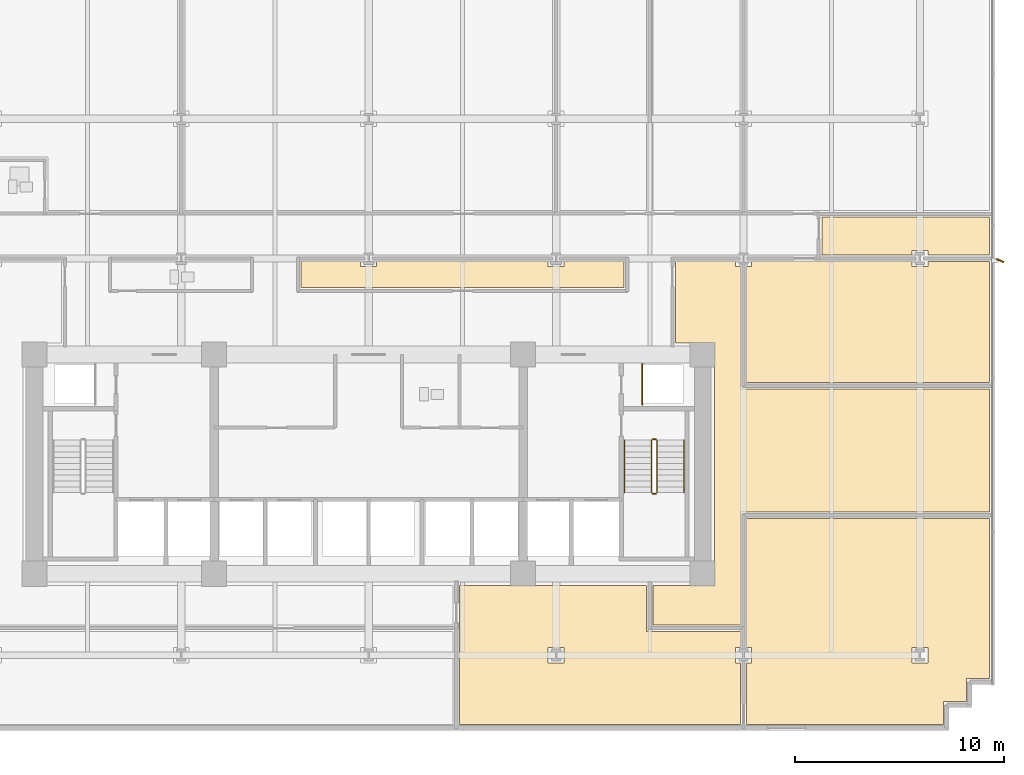
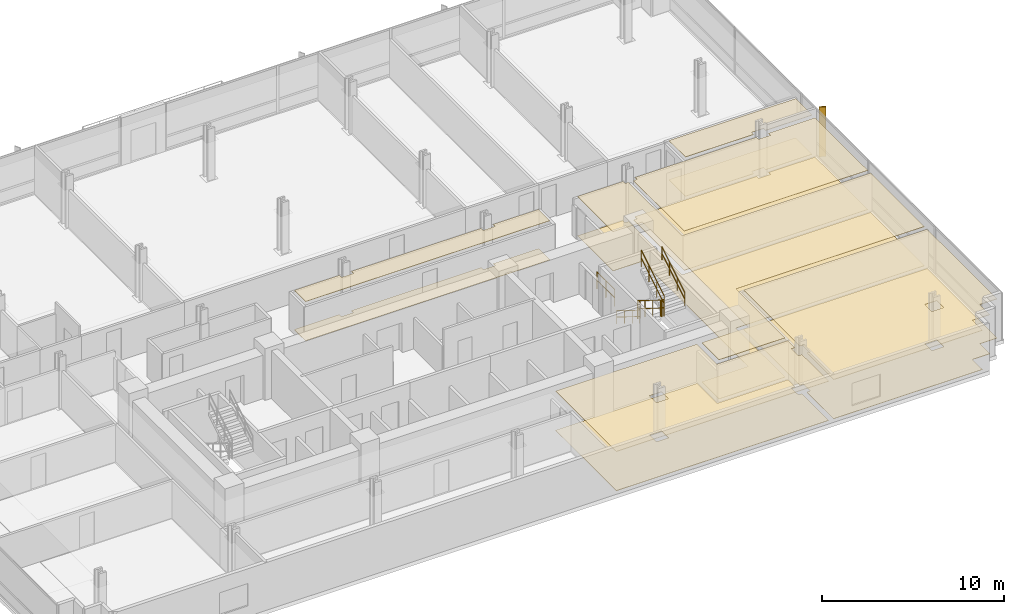
# One storey, part 18 of 21: 12 coverings, 7 railings, 1 shading device.
"""IFC4 building model written with IfcOpenShell, lengths in metres."""

from ifc_helpers import new_model, si_unit, direction, frame, origin, origin_2d, place, context, subcontext, project, spatial, polyline, rectangle, circle, outline, extrude, material, layer, layer_set, type_object, element, save


model = new_model("IFC4")

# Units and contexts
model_context = context("Model", 3, precision=1e-05, world=origin(), true_north=direction((0.0, 1.0)))
body_context = subcontext(model_context, "Body", "Model", "MODEL_VIEW")
ifc_project = project(units=[si_unit("LENGTHUNIT", "METRE"), si_unit("AREAUNIT", "SQUARE_METRE"), si_unit("VOLUMEUNIT", "CUBIC_METRE"), si_unit("PLANEANGLEUNIT", "RADIAN"), si_unit("MASSUNIT", "GRAM", prefix="KILO")], contexts=[model_context])

# Site, building, storey
site_placement = place(None, origin())
site = spatial("IfcSite", under=ifc_project, at=site_placement, CompositionType="ELEMENT")
building_placement = place(site_placement, origin())
building = spatial("IfcBuilding", under=site, at=building_placement, Name="Solmavex Isthmus Hotel", CompositionType="ELEMENT")
storey_placement = place(building_placement, frame((0.0, 0.0, 54.0)))
storey = spatial("IfcBuildingStorey", under=building, at=storey_placement, Name="L14", CompositionType="ELEMENT", Elevation=54.0)

# Coverings
ifc_material_1 = material(Name="Gypsum plasterboard lining", Category="gypsum")
ifc_layer_1 = layer(ifc_material_1, 0.030029296875)
ifc_layer_set_1 = layer_set([ifc_layer_1], Name="Gypsum plasterboard lining")
covering_type_1 = type_object("IfcCoveringType", Name="COV-CEIL-GYP", PredefinedType="CEILING", material=ifc_layer_set_1)
covering_1_placement = place(storey_placement, frame((0.0, 0.0, 2.6201171875)))
element("IfcCovering", 1, at=covering_1_placement, inside=storey, type_object=covering_type_1, Name="Suspended Acoustic Ceiling L14-FL09", PredefinedType="CEILING", context=body_context, shape_type="SweptSolid", body=[
    extrude(outline(polyline([(26.02001953125, 2.2548828125), (26.02001953125, 2.47998046875), (26.780029296875, 2.47998046875), (26.780029296875, 2.2548828125), (29.72509765625, 2.2548828125), (29.72509765625, 4.074951171875), (21.70703125, 4.074951171875), (21.70703125, 2.2548828125), (26.02001953125, 2.2548828125)])), origin(), (0.0, 0.0, 1.0), 0.02978515625),
])
covering_2_placement = place(storey_placement, frame((0.0, 0.0, 2.6201171875)))
element("IfcCovering", 2, at=covering_2_placement, inside=storey, type_object=covering_type_1, Name="Suspended Acoustic Ceiling L14-FL10", PredefinedType="CEILING", context=body_context, shape_type="SweptSolid", body=[
    extrude(outline(polyline([(0.3798828125, 1.945068359375), (0.3798828125, 1.719970703125), (-0.3798828125, 1.719970703125), (-0.3798828125, 1.945068359375), (-3.23291015625, 1.945068359375), (-3.23291015625, 0.705078125), (12.22900390625, 0.705078125), (12.22900390625, 1.945068359375), (9.35595703125, 1.945068359375), (9.35595703125, 1.719970703125), (8.595947265625, 1.719970703125), (8.595947265625, 1.945068359375), (0.3798828125, 1.945068359375)])), origin(), (0.0, 0.0, 1.0), 0.02978515625),
])
covering_3_placement = place(storey_placement, frame((0.0, 0.0, 2.6201171875)))
element("IfcCovering", 3, at=covering_3_placement, inside=storey, type_object=covering_type_1, Name="Suspended Acoustic Ceiling L14-FL12", PredefinedType="CEILING", context=body_context, shape_type="SweptSolid", body=[
    extrude(outline(polyline([(26.780029296875, 1.945068359375), (26.780029296875, 1.719970703125), (26.02001953125, 1.719970703125), (26.02001953125, 1.945068359375), (18.33203125, 1.945068359375), (18.33203125, 1.719970703125), (18.10693359375, 1.719970703125), (18.10693359375, -3.844970703125), (29.72509765625, -3.844970703125), (29.72509765625, 1.945068359375), (26.780029296875, 1.945068359375)])), origin(), (0.0, 0.0, 1.0), 0.02978515625),
])
covering_4_placement = place(storey_placement, frame((0.0, 0.0, 2.6201171875)))
element("IfcCovering", 4, at=covering_4_placement, inside=storey, type_object=covering_type_1, Name="Suspended Acoustic Ceiling L14-FL15", PredefinedType="CEILING", context=body_context, shape_type="SweptSolid", body=[
    extrude(outline(polyline([(17.797119140625, -17.280029296875), (17.572021484375, -17.280029296875), (17.572021484375, -16.52001953125), (17.797119140625, -16.52001953125), (17.797119140625, -15.7548828125), (13.304931640625, -15.7548828125), (13.304931640625, -13.554931640625), (4.35498046875, -13.554931640625), (4.35498046875, -20.22509765625), (17.797119140625, -20.22509765625), (17.797119140625, -17.280029296875)]), holes=[polyline([(8.595947265625, -17.280029296875), (8.595947265625, -16.52001953125), (9.35595703125, -16.52001953125), (9.35595703125, -17.280029296875), (8.595947265625, -17.280029296875)])]), origin(), (0.0, 0.0, 1.0), 0.02978515625),
])
covering_5_placement = place(storey_placement, frame((0.0, 0.0, 2.6201171875)))
element("IfcCovering", 5, at=covering_5_placement, inside=storey, type_object=covering_type_1, Name="Suspended Acoustic Ceiling L14-FL17", PredefinedType="CEILING", context=body_context, shape_type="SweptSolid", body=[
    extrude(outline(polyline([(17.797119140625, 1.719970703125), (17.572021484375, 1.719970703125), (17.572021484375, 1.945068359375), (14.698974609375, 1.945068359375), (14.698974609375, -1.945068359375), (16.554931640625, -1.945068359375), (16.554931640625, -13.554931640625), (13.614990234375, -13.554931640625), (13.614990234375, -15.445068359375), (17.797119140625, -15.445068359375), (17.797119140625, -10.044921875), (29.72509765625, -10.044921875), (29.72509765625, -4.155029296875), (17.797119140625, -4.155029296875), (17.797119140625, 1.719970703125)])), origin(), (0.0, 0.0, 1.0), 0.02978515625),
])
covering_6_placement = place(storey_placement, frame((0.0, 0.0, 2.6201171875)))
element("IfcCovering", 6, at=covering_6_placement, inside=storey, type_object=covering_type_1, Name="Suspended Acoustic Ceiling L14-FL19", PredefinedType="CEILING", context=body_context, shape_type="SweptSolid", body=[
    extrude(outline(polyline([(18.10693359375, -16.52001953125), (18.33203125, -16.52001953125), (18.33203125, -17.280029296875), (18.10693359375, -17.280029296875), (18.10693359375, -20.22509765625), (27.52490234375, -20.22509765625), (27.52490234375, -19.125), (28.625, -19.125), (28.625, -18.02490234375), (29.72509765625, -18.02490234375), (29.72509765625, -10.35498046875), (18.10693359375, -10.35498046875), (18.10693359375, -16.52001953125)]), holes=[polyline([(26.02001953125, -17.280029296875), (26.02001953125, -16.52001953125), (26.780029296875, -16.52001953125), (26.780029296875, -17.280029296875), (26.02001953125, -17.280029296875)])]), origin(), (0.0, 0.0, 1.0), 0.02978515625),
])
ifc_material_2 = material(Name="Travertine natural stone", Category="masonry")
ifc_layer_2 = layer(ifc_material_2, 0.02490234375)
ifc_layer_set_2 = layer_set([ifc_layer_2], Name="Travertine natural stone")
covering_type_2 = type_object("IfcCoveringType", Name="COV-FLOR-STN", PredefinedType="FLOORING", material=ifc_layer_set_2)
covering_7_placement = place(storey_placement, origin())
element("IfcCovering", 7, at=covering_7_placement, inside=storey, type_object=covering_type_2, Name="Stone and Timber Floor Finish L14-FL09", PredefinedType="FLOORING", context=body_context, shape_type="SweptSolid", body=[
    extrude(outline(polyline([(26.02001953125, 2.2548828125), (26.02001953125, 2.47998046875), (26.780029296875, 2.47998046875), (26.780029296875, 2.2548828125), (29.72509765625, 2.2548828125), (29.72509765625, 4.074951171875), (21.70703125, 4.074951171875), (21.70703125, 2.2548828125), (26.02001953125, 2.2548828125)])), origin(), (0.0, 0.0, 1.0), 0.02490234375),
])
covering_8_placement = place(storey_placement, origin())
element("IfcCovering", 8, at=covering_8_placement, inside=storey, type_object=covering_type_2, Name="Stone and Timber Floor Finish L14-FL10", PredefinedType="FLOORING", context=body_context, shape_type="SweptSolid", body=[
    extrude(outline(polyline([(0.3798828125, 1.945068359375), (0.3798828125, 1.719970703125), (-0.3798828125, 1.719970703125), (-0.3798828125, 1.945068359375), (-3.23291015625, 1.945068359375), (-3.23291015625, 0.705078125), (12.22900390625, 0.705078125), (12.22900390625, 1.945068359375), (9.35595703125, 1.945068359375), (9.35595703125, 1.719970703125), (8.595947265625, 1.719970703125), (8.595947265625, 1.945068359375), (0.3798828125, 1.945068359375)])), origin(), (0.0, 0.0, 1.0), 0.02490234375),
])
covering_9_placement = place(storey_placement, origin())
element("IfcCovering", 9, at=covering_9_placement, inside=storey, type_object=covering_type_2, Name="Stone and Timber Floor Finish L14-FL12", PredefinedType="FLOORING", context=body_context, shape_type="SweptSolid", body=[
    extrude(outline(polyline([(26.780029296875, 1.945068359375), (26.780029296875, 1.719970703125), (26.02001953125, 1.719970703125), (26.02001953125, 1.945068359375), (18.33203125, 1.945068359375), (18.33203125, 1.719970703125), (18.10693359375, 1.719970703125), (18.10693359375, -3.844970703125), (29.72509765625, -3.844970703125), (29.72509765625, 1.945068359375), (26.780029296875, 1.945068359375)])), origin(), (0.0, 0.0, 1.0), 0.02490234375),
])
covering_10_placement = place(storey_placement, origin())
element("IfcCovering", 10, at=covering_10_placement, inside=storey, type_object=covering_type_2, Name="Stone and Timber Floor Finish L14-FL15", PredefinedType="FLOORING", context=body_context, shape_type="SweptSolid", body=[
    extrude(outline(polyline([(17.797119140625, -17.280029296875), (17.572021484375, -17.280029296875), (17.572021484375, -16.52001953125), (17.797119140625, -16.52001953125), (17.797119140625, -15.7548828125), (13.304931640625, -15.7548828125), (13.304931640625, -13.554931640625), (4.35498046875, -13.554931640625), (4.35498046875, -20.22509765625), (17.797119140625, -20.22509765625), (17.797119140625, -17.280029296875)]), holes=[polyline([(8.595947265625, -17.280029296875), (8.595947265625, -16.52001953125), (9.35595703125, -16.52001953125), (9.35595703125, -17.280029296875), (8.595947265625, -17.280029296875)])]), origin(), (0.0, 0.0, 1.0), 0.02490234375),
])
covering_11_placement = place(storey_placement, origin())
element("IfcCovering", 11, at=covering_11_placement, inside=storey, type_object=covering_type_2, Name="Stone and Timber Floor Finish L14-FL17", PredefinedType="FLOORING", context=body_context, shape_type="SweptSolid", body=[
    extrude(outline(polyline([(17.797119140625, 1.719970703125), (17.572021484375, 1.719970703125), (17.572021484375, 1.945068359375), (14.698974609375, 1.945068359375), (14.698974609375, -1.945068359375), (16.554931640625, -1.945068359375), (16.554931640625, -13.554931640625), (13.614990234375, -13.554931640625), (13.614990234375, -15.445068359375), (17.797119140625, -15.445068359375), (17.797119140625, -10.044921875), (29.72509765625, -10.044921875), (29.72509765625, -4.155029296875), (17.797119140625, -4.155029296875), (17.797119140625, 1.719970703125)])), origin(), (0.0, 0.0, 1.0), 0.02490234375),
])
covering_12_placement = place(storey_placement, origin())
element("IfcCovering", 12, at=covering_12_placement, inside=storey, type_object=covering_type_2, Name="Stone and Timber Floor Finish L14-FL19", PredefinedType="FLOORING", context=body_context, shape_type="SweptSolid", body=[
    extrude(outline(polyline([(18.10693359375, -16.52001953125), (18.33203125, -16.52001953125), (18.33203125, -17.280029296875), (18.10693359375, -17.280029296875), (18.10693359375, -20.22509765625), (27.52490234375, -20.22509765625), (27.52490234375, -19.125), (28.625, -19.125), (28.625, -18.02490234375), (29.72509765625, -18.02490234375), (29.72509765625, -10.35498046875), (18.10693359375, -10.35498046875), (18.10693359375, -16.52001953125)]), holes=[polyline([(26.02001953125, -17.280029296875), (26.02001953125, -16.52001953125), (26.780029296875, -16.52001953125), (26.780029296875, -17.280029296875), (26.02001953125, -17.280029296875)])]), origin(), (0.0, 0.0, 1.0), 0.02490234375),
])

# Railings
ifc_material_3 = material(Name="Clear low-E laminated glass", Category="glass")
ifc_layer_3 = layer(ifc_material_3, 0.080078125)
ifc_layer_set_3 = layer_set([ifc_layer_3], Name="Clear low-E laminated glass")
railing_type_1 = type_object("IfcRailingType", Name="RAIL-ATRIUM-1120", PredefinedType="BALUSTRADE", material=ifc_layer_set_3)
railing_1_placement = place(storey_placement, frame((13.10009765625, -4.89990234375, 0.0)))
element("IfcRailing", 13, at=railing_1_placement, inside=storey, type_object=railing_type_1, Name="Guardrail Balustrade L14-RSE-01", PredefinedType="BALUSTRADE", context=body_context, shape_type="SweptSolid", body=[
    extrude(circle(Radius=0.02392578125, at=origin_2d()), frame((0.0, 0.0, 1.1259765625), z_axis=(0.0, 1.0, 0.0), x_axis=(-1.0, 0.0, 0.0)), (0.0, 0.0, 1.0), 1.949951171875),
    extrude(circle(Radius=0.02392578125, at=origin_2d()), frame((0.0, 0.0, 0.574951171875), z_axis=(0.0, 1.0, 0.0), x_axis=(-1.0, 0.0, 0.0)), (0.0, 0.0, 1.0), 1.949951171875),
    extrude(circle(Radius=0.02099609375, at=origin_2d()), origin(), (0.0, 0.0, 1.0), 1.101806640625),
    extrude(circle(Radius=0.02099609375, at=origin_2d()), frame((0.0, 0.97509765625, 0.0)), (0.0, 0.0, 1.0), 1.101806640625),
    extrude(circle(Radius=0.02099609375, at=origin_2d()), frame((0.0, 1.949951171875, 0.0)), (0.0, 0.0, 1.0), 1.101806640625),
])
ifc_material_4 = material(Name="Stainless steel 316", Category="steel")
ifc_layer_4 = layer(ifc_material_4, 0.06005859375)
ifc_layer_set_4 = layer_set([ifc_layer_4], Name="Stainless steel 316")
railing_type_2 = type_object("IfcRailingType", Name="RAIL-STAIR-GD", PredefinedType="GUARDRAIL", material=ifc_layer_set_4)
railing_2_placement = place(storey_placement, frame((13.550048828125, -6.60009765625, 0.172607421875)))
element("IfcRailing", 14, at=railing_2_placement, inside=storey, type_object=railing_type_2, Name="L14 ST-2 stair guard 1", PredefinedType="GUARDRAIL", context=body_context, shape_type="SweptSolid", body=[
    extrude(circle(Radius=0.02392578125, at=origin_2d()), frame((0.0, 0.0, 1.09619140625), z_axis=(0.0, -0.851400495292, 0.524516154772), x_axis=(1.0, 0.0, 0.0)), (0.0, 0.0, 1.0), 2.9599609375),
    extrude(circle(Radius=0.02392578125, at=origin_2d()), frame((0.0, 0.0, 0.56005859375), z_axis=(0.0, -0.851400495292, 0.524516154772), x_axis=(1.0, 0.0, 0.0)), (0.0, 0.0, 1.0), 2.9599609375),
    extrude(circle(Radius=0.02099609375, at=origin_2d()), origin(), (0.0, 0.0, 1.0), 1.072021484375),
    extrude(circle(Radius=0.02099609375, at=origin_2d()), frame((0.0, -0.840087890625, 0.517578125)), (0.0, 0.0, 1.0), 1.072021484375),
    extrude(circle(Radius=0.02099609375, at=origin_2d()), frame((0.0, -1.679931640625, 1.034912109375)), (0.0, 0.0, 1.0), 1.072021484375),
    extrude(circle(Radius=0.02099609375, at=origin_2d()), frame((0.0, -2.52001953125, 1.552490234375)), (0.0, 0.0, 1.0), 1.072021484375),
])
railing_3_placement = place(storey_placement, frame((13.60009765625, -9.169921875, 1.72509765625)))
element("IfcRailing", 15, at=railing_3_placement, inside=storey, type_object=railing_type_2, Name="L14 ST-2 stair guard 2", PredefinedType="GUARDRAIL", context=body_context, shape_type="SweptSolid", body=[
    extrude(circle(Radius=0.02392578125, at=origin_2d()), frame((0.0, 0.0, 1.09619140625), z_axis=(1.0, 0.0, 0.0), x_axis=(0.0, 1.0, 0.0)), (0.0, 0.0, 1.0), 0.14990234375),
    extrude(circle(Radius=0.02392578125, at=origin_2d()), frame((0.0, 0.0, 0.56005859375), z_axis=(1.0, 0.0, 0.0), x_axis=(0.0, 1.0, 0.0)), (0.0, 0.0, 1.0), 0.14990234375),
    extrude(circle(Radius=0.02099609375, at=origin_2d()), origin(), (0.0, 0.0, 1.0), 1.072021484375),
    extrude(circle(Radius=0.02099609375, at=origin_2d()), frame((0.14990234375, 0.0, 0.0)), (0.0, 0.0, 1.0), 1.072021484375),
])
railing_4_placement = place(storey_placement, frame((13.800048828125, -9.1201171875, 1.8974609375)))
element("IfcRailing", 16, at=railing_4_placement, inside=storey, type_object=railing_type_2, Name="L14 ST-2 stair guard 3", PredefinedType="GUARDRAIL", context=body_context, shape_type="SweptSolid", body=[
    extrude(circle(Radius=0.02392578125, at=origin_2d()), frame((0.0, 0.0, 1.09619140625), z_axis=(0.0, 0.851400495292, 0.524516154772), x_axis=(-1.0, 0.0, 0.0)), (0.0, 0.0, 1.0), 2.9599609375),
    extrude(circle(Radius=0.02392578125, at=origin_2d()), frame((0.0, 0.0, 0.56005859375), z_axis=(0.0, 0.851400495292, 0.524516154772), x_axis=(-1.0, 0.0, 0.0)), (0.0, 0.0, 1.0), 2.9599609375),
    extrude(circle(Radius=0.02099609375, at=origin_2d()), origin(), (0.0, 0.0, 1.0), 1.072021484375),
    extrude(circle(Radius=0.02099609375, at=origin_2d()), frame((0.0, 0.840087890625, 0.517578125)), (0.0, 0.0, 1.0), 1.072021484375),
    extrude(circle(Radius=0.02099609375, at=origin_2d()), frame((0.0, 1.679931640625, 1.034912109375)), (0.0, 0.0, 1.0), 1.072021484375),
    extrude(circle(Radius=0.02099609375, at=origin_2d()), frame((0.0, 2.52001953125, 1.552490234375)), (0.0, 0.0, 1.0), 1.072021484375),
])
railing_5_placement = place(storey_placement, frame((13.60009765625, -6.550048828125, 0.0)))
element("IfcRailing", 17, at=railing_5_placement, inside=storey, type_object=railing_type_2, Name="L14 ST-2 stair guard 4", PredefinedType="GUARDRAIL", context=body_context, shape_type="SweptSolid", body=[
    extrude(circle(Radius=0.02392578125, at=origin_2d()), frame((0.0, 0.0, 1.09619140625), z_axis=(1.0, 0.0, 0.0), x_axis=(0.0, 1.0, 0.0)), (0.0, 0.0, 1.0), 0.14990234375),
    extrude(circle(Radius=0.02392578125, at=origin_2d()), frame((0.0, 0.0, 0.56005859375), z_axis=(1.0, 0.0, 0.0), x_axis=(0.0, 1.0, 0.0)), (0.0, 0.0, 1.0), 0.14990234375),
    extrude(circle(Radius=0.02099609375, at=origin_2d()), origin(), (0.0, 0.0, 1.0), 1.072021484375),
    extrude(circle(Radius=0.02099609375, at=origin_2d()), frame((0.14990234375, 0.0, 0.0)), (0.0, 0.0, 1.0), 1.072021484375),
])
ifc_layer_5 = layer(ifc_material_4, 0.050048828125)
ifc_layer_set_5 = layer_set([ifc_layer_5], Name="Stainless steel 316")
railing_type_3 = type_object("IfcRailingType", Name="RAIL-STAIR-HR", PredefinedType="HANDRAIL", material=ifc_layer_set_5)
railing_6_placement = place(storey_placement, frame((12.25, -6.60009765625, 0.172607421875)))
element("IfcRailing", 18, at=railing_6_placement, inside=storey, type_object=railing_type_3, Name="L14 ST-2 stair handrail 1", PredefinedType="HANDRAIL", context=body_context, shape_type="SweptSolid", body=[
    extrude(circle(Radius=0.02392578125, at=origin_2d()), frame((0.0, 0.0, 0.8759765625), z_axis=(0.0, -0.851400495292, 0.524516154772), x_axis=(1.0, 0.0, 0.0)), (0.0, 0.0, 1.0), 2.9599609375),
    extrude(circle(Radius=0.02392578125, at=origin_2d()), frame((0.0, 0.0, 0.449951171875), z_axis=(0.0, -0.851400495292, 0.524516154772), x_axis=(1.0, 0.0, 0.0)), (0.0, 0.0, 1.0), 2.9599609375),
    extrude(circle(Radius=0.02099609375, at=origin_2d()), origin(), (0.0, 0.0, 1.0), 0.851806640625),
    extrude(circle(Radius=0.02099609375, at=origin_2d()), frame((0.0, -0.840087890625, 0.517578125)), (0.0, 0.0, 1.0), 0.851806640625),
    extrude(circle(Radius=0.02099609375, at=origin_2d()), frame((0.0, -1.679931640625, 1.034912109375)), (0.0, 0.0, 1.0), 0.851806640625),
    extrude(circle(Radius=0.02099609375, at=origin_2d()), frame((0.0, -2.52001953125, 1.552490234375)), (0.0, 0.0, 1.0), 0.851806640625),
])
railing_7_placement = place(storey_placement, frame((15.10009765625, -9.1201171875, 1.8974609375)))
element("IfcRailing", 19, at=railing_7_placement, inside=storey, type_object=railing_type_3, Name="L14 ST-2 stair handrail 2", PredefinedType="HANDRAIL", context=body_context, shape_type="SweptSolid", body=[
    extrude(circle(Radius=0.02392578125, at=origin_2d()), frame((0.0, 0.0, 0.8759765625), z_axis=(0.0, 0.851400495292, 0.524516154772), x_axis=(-1.0, 0.0, 0.0)), (0.0, 0.0, 1.0), 2.9599609375),
    extrude(circle(Radius=0.02392578125, at=origin_2d()), frame((0.0, 0.0, 0.449951171875), z_axis=(0.0, 0.851400495292, 0.524516154772), x_axis=(-1.0, 0.0, 0.0)), (0.0, 0.0, 1.0), 2.9599609375),
    extrude(circle(Radius=0.02099609375, at=origin_2d()), origin(), (0.0, 0.0, 1.0), 0.851806640625),
    extrude(circle(Radius=0.02099609375, at=origin_2d()), frame((0.0, 0.840087890625, 0.517578125)), (0.0, 0.0, 1.0), 0.851806640625),
    extrude(circle(Radius=0.02099609375, at=origin_2d()), frame((0.0, 1.679931640625, 1.034912109375)), (0.0, 0.0, 1.0), 0.851806640625),
    extrude(circle(Radius=0.02099609375, at=origin_2d()), frame((0.0, 2.52001953125, 1.552490234375)), (0.0, 0.0, 1.0), 0.851806640625),
])

# Shading device
ifc_material_5 = material(Name="Aluminium alloy 6063-T6", Category="aluminium")
shading_device_type = type_object("IfcShadingDeviceType", Name="SHD-FIN-CHAMP", PredefinedType="USERDEFINED", material=ifc_material_5)
shading_device_placement = place(storey_placement, frame((30.239990234375, 2.0, -0.14013671875), z_axis=(0.0, 0.0, 1.0), x_axis=(0.913545457643, -0.406736643076, 0.0)))
element("IfcShadingDevice", 20, at=shading_device_placement, inside=storey, type_object=shading_device_type, Name="Anodised Aluminium Solar Fin L14-E1", ObjectType="SOLAR_FIN", PredefinedType="USERDEFINED", context=body_context, shape_type="SweptSolid", body=[
    extrude(rectangle(XDim=0.3798828125, YDim=0.070068359375, at=origin_2d()), origin(), (0.0, 0.0, 1.0), 3.330078125),
])

save(model, "model.ifc")
